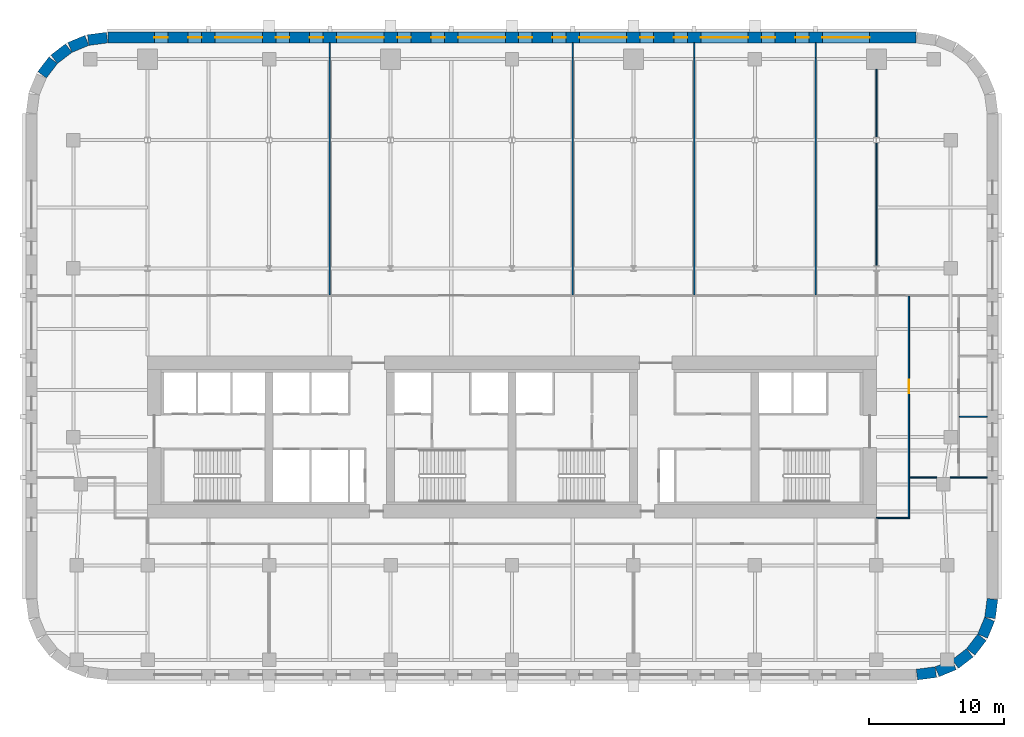
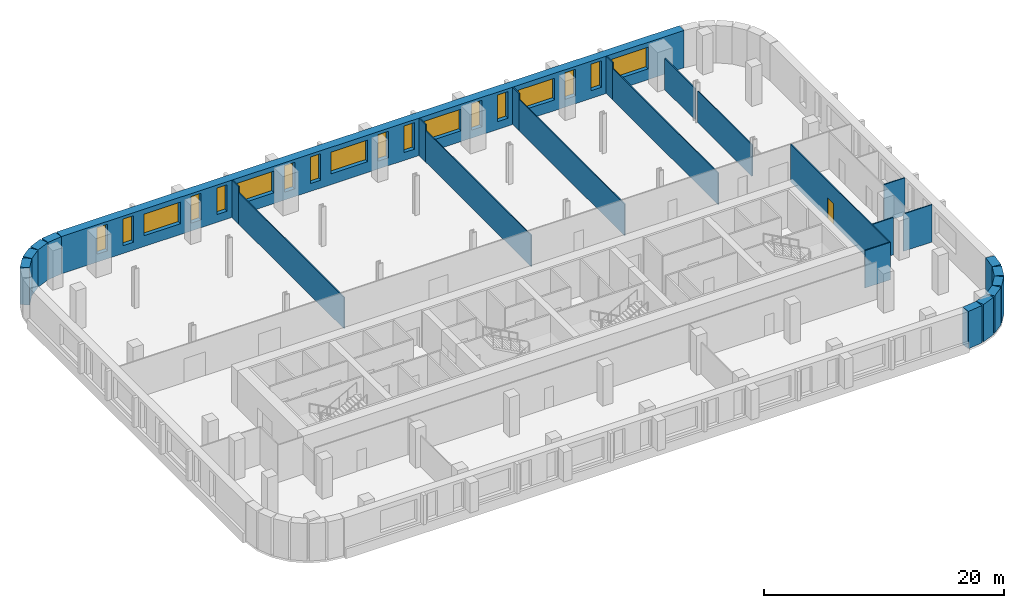
# One storey, part 6 of 9: 26 walls, 18 windows, 1 door, 19 openings.
"""IFC4 building model written with IfcOpenShell, lengths in metres."""

import ifcopenshell
import ifcopenshell.guid

model = None  # the IFC model being written
_history = None  # IfcOwnerHistory: only IFC2X3 demands one
_inside = {}  # id of a spatial element -> (the spatial element, [elements in it])
_under = {}  # id of a project, library or spatial element -> (it, [spatial elements below it])
_declared = {}  # id of a project -> (the project, [libraries it declares])
_typed = {}  # id of a type object -> (the type object, [elements of that type])
_made_of = {}  # id of a material, layer set ... -> (it, [elements and type objects made of it])


def new_model(schema):
    """Start an empty IFC model of exactly this schema.

    Asked for "IFC4X3", IfcOpenShell would pick the latest addendum, in which some entities
    have other attributes; the version numbers below select the first issue.
    IFC2X3 requires an IfcOwnerHistory on every rooted entity: one is made here for all.
    """
    global model, _history
    if schema == "IFC4X3":
        model = ifcopenshell.file(schema_version=(4, 3, 0, 0))
    else:
        model = ifcopenshell.file(schema=schema)
    _inside.clear()
    _under.clear()
    _declared.clear()
    _typed.clear()
    _made_of.clear()
    _history = None
    if model.schema == "IFC2X3":
        org = make("IfcOrganization", Name="unknown")
        user = make(
            "IfcPersonAndOrganization",
            ThePerson=make("IfcPerson", FamilyName="unknown"),
            TheOrganization=org,
        )
        app = make(
            "IfcApplication",
            ApplicationDeveloper=org,
            Version="unknown",
            ApplicationFullName="unknown",
            ApplicationIdentifier="unknown",
        )
        _history = make(
            "IfcOwnerHistory",
            OwningUser=user,
            OwningApplication=app,
            ChangeAction="ADDED",
            CreationDate=0,
        )
    return model


def make(cls, **values):
    """One entity of the class cls with the attributes given. An attribute that is None is left unset."""
    return model.create_entity(
        cls, **{name: value for name, value in values.items() if value is not None}
    )


def rooted(cls, **values):
    """An entity with a GlobalId (a new one), such as an element, a storey or a relation."""
    return make(cls, GlobalId=ifcopenshell.guid.new(), OwnerHistory=_history, **values)


def si_unit(unit_type, name, prefix=None):
    """IfcSIUnit, for example si_unit("LENGTHUNIT", "METRE", prefix="MILLI")."""
    return make("IfcSIUnit", UnitType=unit_type, Prefix=prefix, Name=name)


def assignment(units):
    """IfcUnitAssignment: the units of a project."""
    return None if units is None else make("IfcUnitAssignment", Units=units)


def point(xyz):
    """IfcCartesianPoint."""
    return None if xyz is None else make("IfcCartesianPoint", Coordinates=xyz)


def direction(xyz):
    """IfcDirection."""
    return None if xyz is None else make("IfcDirection", DirectionRatios=xyz)


def frame(location, z_axis=None, x_axis=None):
    """IfcAxis2Placement3D, a coordinate frame: its origin and axes. An axis left out is left unset."""
    return make(
        "IfcAxis2Placement3D",
        Location=point(location),
        Axis=direction(z_axis),
        RefDirection=direction(x_axis),
    )


def frame_2d(location, x_axis=None):
    """IfcAxis2Placement2D, a coordinate frame in the plane: its origin and x axis."""
    return make(
        "IfcAxis2Placement2D", Location=point(location), RefDirection=direction(x_axis)
    )


def origin():
    """The frame at (0, 0, 0) with its axes left unset."""
    return frame((0.0, 0.0, 0.0))


def place(relative_to, where):
    """IfcLocalPlacement: puts the frame where relative to a parent placement (None: the world)."""
    return make(
        "IfcLocalPlacement", PlacementRelTo=relative_to, RelativePlacement=where
    )


def context(
    kind, dimensions, precision=None, world=None, true_north=None, identifier=None
):
    """IfcGeometricRepresentationContext, for example the 3D "Model" context."""
    return make(
        "IfcGeometricRepresentationContext",
        ContextIdentifier=identifier,
        ContextType=kind,
        CoordinateSpaceDimension=dimensions,
        Precision=precision,
        WorldCoordinateSystem=world,
        TrueNorth=true_north,
    )


def subcontext(parent, identifier, kind, view, scale=None):
    """IfcGeometricRepresentationSubContext, for example "Body" below "Model"."""
    return make(
        "IfcGeometricRepresentationSubContext",
        ContextIdentifier=identifier,
        ContextType=kind,
        ParentContext=parent,
        TargetScale=scale,
        TargetView=view,
    )


def project(units=None, contexts=None):
    """IfcProject with its units and contexts."""
    return rooted(
        "IfcProject",
        Name="project",
        RepresentationContexts=contexts,
        UnitsInContext=assignment(units),
    )


def spatial(cls, under=None, at=None, **own):
    """A site, building, storey or space (cls), placed at a placement, below another one or the project."""
    s = rooted(cls, ObjectPlacement=at, **own)
    if under is not None:
        _under.setdefault(under.id(), (under, []))[1].append(s)
    return s


def profile(cls, at=None, kind="AREA", **sizes):
    """A parametric profile (cls). Its sizes go by their IFC names, for example OverallWidth=200.0."""
    return make(cls, ProfileType=kind, Position=at, **sizes)


def rectangle(**sizes):
    """IfcRectangleProfileDef."""
    return profile("IfcRectangleProfileDef", **sizes)


def extrude(swept, where, along, depth):
    """IfcExtrudedAreaSolid: the profile swept, set in the frame where, extruded along a direction by depth."""
    return make(
        "IfcExtrudedAreaSolid",
        SweptArea=swept,
        Position=where,
        ExtrudedDirection=direction(along),
        Depth=depth,
    )


def shape(context_of_items, identifier, shape_type, items):
    """IfcShapeRepresentation: the items that make up one representation, for example the "Body"."""
    return make(
        "IfcShapeRepresentation",
        ContextOfItems=context_of_items,
        RepresentationIdentifier=identifier,
        RepresentationType=shape_type,
        Items=items,
    )


def material(Name=None, Category=None):
    """IfcMaterial."""
    return make("IfcMaterial", Name=Name, Category=Category)


def layer(
    of_material, thickness, ventilated=None, Name=None, Category=None, Priority=None
):
    """IfcMaterialLayer: one layer of a wall or slab, of a material (None: an air gap)."""
    return make(
        "IfcMaterialLayer",
        Material=of_material,
        LayerThickness=thickness,
        IsVentilated=ventilated,
        Name=Name,
        Category=Category,
        Priority=Priority,
    )


def layer_set(layers, Name=None):
    """IfcMaterialLayerSet."""
    return make("IfcMaterialLayerSet", MaterialLayers=layers, LayerSetName=Name)


def made_of(thing, what):
    """Note that an element or type object is made of a material, layer set ...; save() writes the relation."""
    if what is not None:
        _made_of.setdefault(what.id(), (what, []))[1].append(thing)
    return thing


def type_object(cls, material=None, **own):
    """A type object (cls), such as IfcWallType, which elements share."""
    return made_of(rooted(cls, **own), material)


def element(
    cls,
    number,
    at=None,
    inside=None,
    cuts=None,
    type_object=None,
    material=None,
    context=None,
    identifier="Body",
    shape_type=None,
    held_by="IfcProductDefinitionShape",
    body=None,
    shapes=None,
    **own,
):
    """One element of the class cls, such as IfcWall. Its Tag is "e" and its number.

    at: its placement. inside: the storey or other place that contains it. cuts: it is an
    opening in that element (IfcRelVoidsElement). A single representation is given by context,
    identifier, shape_type and body (its items); several are given by shapes. held_by: the class
    of the entity that holds the representations. save() writes the other relations.
    """
    e = rooted(cls, Tag="e%d" % number, ObjectPlacement=at, **own)
    if body is not None:
        shapes = [shape(context, identifier, shape_type, body)]
    if shapes is not None:
        e.Representation = make(held_by, Representations=shapes)
    if inside is not None:
        _inside.setdefault(inside.id(), (inside, []))[1].append(e)
    if cuts is not None:
        rooted(
            "IfcRelVoidsElement", RelatingBuildingElement=cuts, RelatedOpeningElement=e
        )
    if type_object is not None:
        _typed.setdefault(type_object.id(), (type_object, []))[1].append(e)
    return made_of(e, material)


def fill(opening, filler):
    """IfcRelFillsElement: the door or window that sits in an opening."""
    return rooted(
        "IfcRelFillsElement",
        RelatingOpeningElement=opening,
        RelatedBuildingElement=filler,
    )


def aggregate(whole, parts):
    """IfcRelAggregates: a whole, such as a stair, and the parts it consists of."""
    return rooted("IfcRelAggregates", RelatingObject=whole, RelatedObjects=parts)


def save(model, path):
    """Write the relations noted so far, then the file.

    IfcRelAggregates (storeys below a building ...), IfcRelContainedInSpatialStructure (elements
    in a storey), IfcRelDefinesByType, IfcRelAssociatesMaterial and IfcRelDeclares: one each for
    every whole, place, type object, material and project.
    """
    for whole, parts in _under.values():
        aggregate(whole, parts)
    for where, things in _inside.values():
        rooted(
            "IfcRelContainedInSpatialStructure",
            RelatedElements=things,
            RelatingStructure=where,
        )
    for kind, things in _typed.values():
        rooted("IfcRelDefinesByType", RelatedObjects=things, RelatingType=kind)
    for what, things in _made_of.values():
        rooted("IfcRelAssociatesMaterial", RelatedObjects=things, RelatingMaterial=what)
    for by, libraries in _declared.values():
        rooted("IfcRelDeclares", RelatingContext=by, RelatedDefinitions=libraries)
    model.write(path)


model = new_model("IFC4")

# Units and contexts
model_context = context("Model", 3, precision=1e-05, world=origin(), true_north=direction((0.0, 1.0)))
body_context = subcontext(model_context, "Body", "Model", "MODEL_VIEW")
ifc_project = project(units=[si_unit("LENGTHUNIT", "METRE"), si_unit("AREAUNIT", "SQUARE_METRE"), si_unit("VOLUMEUNIT", "CUBIC_METRE"), si_unit("PLANEANGLEUNIT", "RADIAN"), si_unit("MASSUNIT", "GRAM", prefix="KILO")], contexts=[model_context])

# Site, building, storey
site_placement = place(None, origin())
site = spatial("IfcSite", under=ifc_project, at=site_placement, CompositionType="ELEMENT")
building_placement = place(site_placement, origin())
building = spatial("IfcBuilding", under=site, at=building_placement, Name="Zellij Exchange Tower", CompositionType="ELEMENT")
storey_placement = place(building_placement, frame((0.0, 0.0, 148.5)))
storey = spatial("IfcBuildingStorey", under=building, at=storey_placement, Name="L33", CompositionType="ELEMENT", Elevation=148.5)

# Walls
ifc_material_1 = material(Name="Precast concrete C40/50", Category="concrete")
ifc_layer_1 = layer(ifc_material_1, 0.800048828125)
ifc_layer_set_1 = layer_set([ifc_layer_1], Name="Precast concrete C40/50")
wall_type_1 = type_object("IfcWallType", Name="ENV-EW1 Precast stone-piered wall 800", PredefinedType="SOLIDWALL", material=ifc_layer_set_1)
wall_1_placement = place(storey_placement, frame((29.999755859375, -25.5966796875, 0.0), z_axis=(0.0, 0.0, 1.0), x_axis=(0.99144603414, 0.130517283865, 0.0)))
element("IfcWall", 1, at=wall_1_placement, inside=storey, type_object=wall_type_1, Name="fac.L33.01", PredefinedType="SOLIDWALL", context=body_context, shape_type="SweptSolid", body=[
    extrude(rectangle(XDim=1.408447265625, YDim=0.800048828125, at=frame_2d((0.7041015625, 0.0))), origin(), (0.0, 0.0, 1.0), 3.800048828125),
])
wall_2_placement = place(storey_placement, frame((31.497314453125, -25.3857421875, 0.0), z_axis=(0.0, 0.0, 1.0), x_axis=(0.923847774587, 0.38276009378, 0.0)))
element("IfcWall", 2, at=wall_2_placement, inside=storey, type_object=wall_type_1, Name="fac.L33.02", PredefinedType="SOLIDWALL", context=body_context, shape_type="SweptSolid", body=[
    extrude(rectangle(XDim=1.35546875, YDim=0.800048828125, at=frame_2d((0.677734375, 0.0))), origin(), (0.0, 0.0, 1.0), 3.800048828125),
])
for number, where, z_axis, x_axis, name in (
    (3, (32.840087890625, -24.814697265625, 0.0), (0.0, 0.0, 1.0), (0.793272915452, 0.608866226366, 0.0), "fac.L33.03"),
    (4, (33.9892578125, -23.91552734375, 0.0), (0.0, 0.0, 1.0), (0.608866226366, 0.793272915452, 0.0), "fac.L33.04"),
):
    element("IfcWall", number, at=place(storey_placement, frame(where, z_axis=z_axis, x_axis=x_axis)), inside=storey, type_object=wall_type_1, Name=name, PredefinedType="SOLIDWALL", context=body_context, shape_type="SweptSolid", body=[
        extrude(rectangle(XDim=1.355712890625, YDim=0.800048828125, at=frame_2d((0.677734375, 0.0))), origin(), (0.0, 0.0, 1.0), 3.800048828125),
    ])
wall_3_placement = place(storey_placement, frame((34.866943359375, -22.74951171875, 0.0), z_axis=(0.0, 0.0, 1.0), x_axis=(0.38276009378, 0.923847774587, 0.0)))
element("IfcWall", 5, at=wall_3_placement, inside=storey, type_object=wall_type_1, Name="fac.L33.05", PredefinedType="SOLIDWALL", context=body_context, shape_type="SweptSolid", body=[
    extrude(rectangle(XDim=1.35546875, YDim=0.800048828125, at=frame_2d((0.677734375, 0.0))), origin(), (0.0, 0.0, 1.0), 3.800048828125),
])
wall_4_placement = place(storey_placement, frame((35.412841796875, -21.396240234375, 0.0), z_axis=(0.0, 0.0, 1.0), x_axis=(0.130517283865, 0.99144603414, 0.0)))
element("IfcWall", 6, at=wall_4_placement, inside=storey, type_object=wall_type_1, Name="fac.L33.06", PredefinedType="SOLIDWALL", context=body_context, shape_type="SweptSolid", body=[
    extrude(rectangle(XDim=1.408447265625, YDim=0.800048828125, at=frame_2d((0.7041015625, 0.0))), origin(), (0.0, 0.0, 1.0), 3.800048828125),
])

# Wall, openings, windows
wall_5_placement = place(storey_placement, frame((29.947509765625, 21.60009765625, 0.0), z_axis=(0.0, 0.0, 1.0), x_axis=(-1.0, 0.0, 0.0)))
wall_5 = element("IfcWall", 7, at=wall_5_placement, inside=storey, type_object=wall_type_1, Name="fac.L33.14", PredefinedType="SOLIDWALL", context=body_context, shape_type="SweptSolid", body=[
    extrude(rectangle(XDim=59.89501953125, YDim=0.800048828125, at=frame_2d((29.947509765625, 0.0))), origin(), (0.0, 0.0, 1.0), 3.800048828125),
])
opening_1_placement = place(wall_5_placement, frame((3.447509765625, 0.0, 1.10009765625)))
opening_1 = element("IfcOpeningElement", 8, at=opening_1_placement, cuts=wall_5, Name="Opening FZ2.28", PredefinedType="OPENING", context=body_context, shape_type="SweptSolid", body=[
    extrude(rectangle(XDim=3.5, YDim=2.199951171875, at=frame_2d((1.75, 1.10009765625))), frame((0.0, 0.412109375, 0.0), z_axis=(0.0, -1.0, 0.0), x_axis=(1.0, 0.0, 0.0)), (0.0, 0.0, 1.0), 0.823974609375),
])
opening_2_placement = place(wall_5_placement, frame((7.947509765625, 0.0, 0.800048828125)))
opening_2 = element("IfcOpeningElement", 9, at=opening_2_placement, cuts=wall_5, Name="Opening FZ2.29", PredefinedType="OPENING", context=body_context, shape_type="SweptSolid", body=[
    extrude(rectangle(XDim=1.0, YDim=2.699951171875, at=frame_2d((0.5, 1.35009765625))), frame((0.0, 0.412109375, 0.0), z_axis=(0.0, -1.0, 0.0), x_axis=(1.0, 0.0, 0.0)), (0.0, 0.0, 1.0), 0.823974609375),
])
opening_3_placement = place(wall_5_placement, frame((10.447509765625, 0.0, 0.800048828125)))
opening_3 = element("IfcOpeningElement", 10, at=opening_3_placement, cuts=wall_5, Name="Opening FZ2.30", PredefinedType="OPENING", context=body_context, shape_type="SweptSolid", body=[
    extrude(rectangle(XDim=1.0, YDim=2.699951171875, at=frame_2d((0.5, 1.35009765625))), frame((0.0, 0.412109375, 0.0), z_axis=(0.0, -1.0, 0.0), x_axis=(1.0, 0.0, 0.0)), (0.0, 0.0, 1.0), 0.823974609375),
])
opening_4_placement = place(wall_5_placement, frame((12.447509765625, 0.0, 1.10009765625)))
opening_4 = element("IfcOpeningElement", 11, at=opening_4_placement, cuts=wall_5, Name="Opening FZ2.31", PredefinedType="OPENING", context=body_context, shape_type="SweptSolid", body=[
    extrude(rectangle(XDim=3.5, YDim=2.199951171875, at=frame_2d((1.75, 1.10009765625))), frame((0.0, 0.412109375, 0.0), z_axis=(0.0, -1.0, 0.0), x_axis=(1.0, 0.0, 0.0)), (0.0, 0.0, 1.0), 0.823974609375),
])
opening_5_placement = place(wall_5_placement, frame((16.947509765625, 0.0, 0.800048828125)))
opening_5 = element("IfcOpeningElement", 12, at=opening_5_placement, cuts=wall_5, Name="Opening FZ2.32", PredefinedType="OPENING", context=body_context, shape_type="SweptSolid", body=[
    extrude(rectangle(XDim=1.0, YDim=2.699951171875, at=frame_2d((0.5, 1.35009765625))), frame((0.0, 0.412109375, 0.0), z_axis=(0.0, -1.0, 0.0), x_axis=(1.0, 0.0, 0.0)), (0.0, 0.0, 1.0), 0.823974609375),
])
opening_6_placement = place(wall_5_placement, frame((19.447509765625, 0.0, 0.800048828125)))
opening_6 = element("IfcOpeningElement", 13, at=opening_6_placement, cuts=wall_5, Name="Opening FZ2.33", PredefinedType="OPENING", context=body_context, shape_type="SweptSolid", body=[
    extrude(rectangle(XDim=1.0, YDim=2.699951171875, at=frame_2d((0.5, 1.35009765625))), frame((0.0, 0.412109375, 0.0), z_axis=(0.0, -1.0, 0.0), x_axis=(1.0, 0.0, 0.0)), (0.0, 0.0, 1.0), 0.823974609375),
])
opening_7_placement = place(wall_5_placement, frame((21.447509765625, 0.0, 1.10009765625)))
opening_7 = element("IfcOpeningElement", 14, at=opening_7_placement, cuts=wall_5, Name="Opening FZ2.34", PredefinedType="OPENING", context=body_context, shape_type="SweptSolid", body=[
    extrude(rectangle(XDim=3.5, YDim=2.199951171875, at=frame_2d((1.75, 1.10009765625))), frame((0.0, 0.412109375, 0.0), z_axis=(0.0, -1.0, 0.0), x_axis=(1.0, 0.0, 0.0)), (0.0, 0.0, 1.0), 0.823974609375),
])
opening_8_placement = place(wall_5_placement, frame((25.947509765625, 0.0, 0.800048828125)))
opening_8 = element("IfcOpeningElement", 15, at=opening_8_placement, cuts=wall_5, Name="Opening FZ2.35", PredefinedType="OPENING", context=body_context, shape_type="SweptSolid", body=[
    extrude(rectangle(XDim=1.0, YDim=2.699951171875, at=frame_2d((0.5, 1.35009765625))), frame((0.0, 0.412109375, 0.0), z_axis=(0.0, -1.0, 0.0), x_axis=(1.0, 0.0, 0.0)), (0.0, 0.0, 1.0), 0.823974609375),
])
opening_9_placement = place(wall_5_placement, frame((28.447509765625, 0.0, 0.800048828125)))
opening_9 = element("IfcOpeningElement", 16, at=opening_9_placement, cuts=wall_5, Name="Opening FZ2.36", PredefinedType="OPENING", context=body_context, shape_type="SweptSolid", body=[
    extrude(rectangle(XDim=1.0, YDim=2.699951171875, at=frame_2d((0.5, 1.35009765625))), frame((0.0, 0.412109375, 0.0), z_axis=(0.0, -1.0, 0.0), x_axis=(1.0, 0.0, 0.0)), (0.0, 0.0, 1.0), 0.823974609375),
])
opening_10_placement = place(wall_5_placement, frame((30.447509765625, 0.0, 1.10009765625)))
opening_10 = element("IfcOpeningElement", 17, at=opening_10_placement, cuts=wall_5, Name="Opening FZ2.37", PredefinedType="OPENING", context=body_context, shape_type="SweptSolid", body=[
    extrude(rectangle(XDim=3.5, YDim=2.199951171875, at=frame_2d((1.75, 1.10009765625))), frame((0.0, 0.412109375, 0.0), z_axis=(0.0, -1.0, 0.0), x_axis=(1.0, 0.0, 0.0)), (0.0, 0.0, 1.0), 0.823974609375),
])
opening_11_placement = place(wall_5_placement, frame((34.947509765625, 0.0, 0.800048828125)))
opening_11 = element("IfcOpeningElement", 18, at=opening_11_placement, cuts=wall_5, Name="Opening FZ2.38", PredefinedType="OPENING", context=body_context, shape_type="SweptSolid", body=[
    extrude(rectangle(XDim=1.0, YDim=2.699951171875, at=frame_2d((0.5, 1.35009765625))), frame((0.0, 0.412109375, 0.0), z_axis=(0.0, -1.0, 0.0), x_axis=(1.0, 0.0, 0.0)), (0.0, 0.0, 1.0), 0.823974609375),
])
opening_12_placement = place(wall_5_placement, frame((37.447509765625, 0.0, 0.800048828125)))
opening_12 = element("IfcOpeningElement", 19, at=opening_12_placement, cuts=wall_5, Name="Opening FZ2.39", PredefinedType="OPENING", context=body_context, shape_type="SweptSolid", body=[
    extrude(rectangle(XDim=1.0, YDim=2.699951171875, at=frame_2d((0.5, 1.35009765625))), frame((0.0, 0.412109375, 0.0), z_axis=(0.0, -1.0, 0.0), x_axis=(1.0, 0.0, 0.0)), (0.0, 0.0, 1.0), 0.823974609375),
])
opening_13_placement = place(wall_5_placement, frame((39.447509765625, 0.0, 1.10009765625)))
opening_13 = element("IfcOpeningElement", 20, at=opening_13_placement, cuts=wall_5, Name="Opening FZ2.40", PredefinedType="OPENING", context=body_context, shape_type="SweptSolid", body=[
    extrude(rectangle(XDim=3.5, YDim=2.199951171875, at=frame_2d((1.75, 1.10009765625))), frame((0.0, 0.412109375, 0.0), z_axis=(0.0, -1.0, 0.0), x_axis=(1.0, 0.0, 0.0)), (0.0, 0.0, 1.0), 0.823974609375),
])
opening_14_placement = place(wall_5_placement, frame((43.947509765625, 0.0, 0.800048828125)))
opening_14 = element("IfcOpeningElement", 21, at=opening_14_placement, cuts=wall_5, Name="Opening FZ2.41", PredefinedType="OPENING", context=body_context, shape_type="SweptSolid", body=[
    extrude(rectangle(XDim=1.0, YDim=2.699951171875, at=frame_2d((0.5, 1.35009765625))), frame((0.0, 0.412109375, 0.0), z_axis=(0.0, -1.0, 0.0), x_axis=(1.0, 0.0, 0.0)), (0.0, 0.0, 1.0), 0.823974609375),
])
opening_15_placement = place(wall_5_placement, frame((46.447509765625, 0.0, 0.800048828125)))
opening_15 = element("IfcOpeningElement", 22, at=opening_15_placement, cuts=wall_5, Name="Opening FZ2.42", PredefinedType="OPENING", context=body_context, shape_type="SweptSolid", body=[
    extrude(rectangle(XDim=1.0, YDim=2.699951171875, at=frame_2d((0.5, 1.35009765625))), frame((0.0, 0.412109375, 0.0), z_axis=(0.0, -1.0, 0.0), x_axis=(1.0, 0.0, 0.0)), (0.0, 0.0, 1.0), 0.823974609375),
])
opening_16_placement = place(wall_5_placement, frame((48.447509765625, 0.0, 1.10009765625)))
opening_16 = element("IfcOpeningElement", 23, at=opening_16_placement, cuts=wall_5, Name="Opening FZ2.43", PredefinedType="OPENING", context=body_context, shape_type="SweptSolid", body=[
    extrude(rectangle(XDim=3.5, YDim=2.199951171875, at=frame_2d((1.75, 1.10009765625))), frame((0.0, 0.412109375, 0.0), z_axis=(0.0, -1.0, 0.0), x_axis=(1.0, 0.0, 0.0)), (0.0, 0.0, 1.0), 0.823974609375),
])
opening_17_placement = place(wall_5_placement, frame((52.947509765625, 0.0, 0.800048828125)))
opening_17 = element("IfcOpeningElement", 24, at=opening_17_placement, cuts=wall_5, Name="Opening FZ2.44", PredefinedType="OPENING", context=body_context, shape_type="SweptSolid", body=[
    extrude(rectangle(XDim=1.0, YDim=2.699951171875, at=frame_2d((0.5, 1.35009765625))), frame((0.0, 0.412109375, 0.0), z_axis=(0.0, -1.0, 0.0), x_axis=(1.0, 0.0, 0.0)), (0.0, 0.0, 1.0), 0.823974609375),
])
opening_18_placement = place(wall_5_placement, frame((55.447509765625, 0.0, 0.800048828125)))
opening_18 = element("IfcOpeningElement", 25, at=opening_18_placement, cuts=wall_5, Name="Opening FZ2.45", PredefinedType="OPENING", context=body_context, shape_type="SweptSolid", body=[
    extrude(rectangle(XDim=1.0, YDim=2.699951171875, at=frame_2d((0.5, 1.35009765625))), frame((0.0, 0.412109375, 0.0), z_axis=(0.0, -1.0, 0.0), x_axis=(1.0, 0.0, 0.0)), (0.0, 0.0, 1.0), 0.823974609375),
])
ifc_material_2 = material(Name="Aluminium frame with insulating glass", Category="aluminium")
window_type_1 = type_object("IfcWindowType", Name="ENV-W7 Window 3500x2200", PartitioningType="SINGLE_PANEL", PredefinedType="WINDOW", material=ifc_material_2)
window_1_placement = place(opening_1_placement, origin())
window_1 = element("IfcWindow", 26, at=window_1_placement, inside=storey, type_object=window_type_1, Name="Window FZ2.28", OverallHeight=2.199951171875, OverallWidth=3.5, PartitioningType="SINGLE_PANEL", PredefinedType="WINDOW", context=body_context, shape_type="SweptSolid", body=[
    extrude(rectangle(XDim=3.5, YDim=2.199951171875, at=frame_2d((1.75, 1.10009765625))), frame((0.0, 0.030029296875, 0.0), z_axis=(0.0, -1.0, 0.0), x_axis=(1.0, 0.0, 0.0)), (0.0, 0.0, 1.0), 0.06005859375),
])
fill(opening_1, window_1)
window_2_placement = place(opening_4_placement, origin())
window_2 = element("IfcWindow", 27, at=window_2_placement, inside=storey, type_object=window_type_1, Name="Window FZ2.31", OverallHeight=2.199951171875, OverallWidth=3.5, PartitioningType="SINGLE_PANEL", PredefinedType="WINDOW", context=body_context, shape_type="SweptSolid", body=[
    extrude(rectangle(XDim=3.5, YDim=2.199951171875, at=frame_2d((1.75, 1.10009765625))), frame((0.0, 0.030029296875, 0.0), z_axis=(0.0, -1.0, 0.0), x_axis=(1.0, 0.0, 0.0)), (0.0, 0.0, 1.0), 0.06005859375),
])
fill(opening_4, window_2)
window_3_placement = place(opening_7_placement, origin())
window_3 = element("IfcWindow", 28, at=window_3_placement, inside=storey, type_object=window_type_1, Name="Window FZ2.34", OverallHeight=2.199951171875, OverallWidth=3.5, PartitioningType="SINGLE_PANEL", PredefinedType="WINDOW", context=body_context, shape_type="SweptSolid", body=[
    extrude(rectangle(XDim=3.5, YDim=2.199951171875, at=frame_2d((1.75, 1.10009765625))), frame((0.0, 0.030029296875, 0.0), z_axis=(0.0, -1.0, 0.0), x_axis=(1.0, 0.0, 0.0)), (0.0, 0.0, 1.0), 0.06005859375),
])
fill(opening_7, window_3)
window_4_placement = place(opening_10_placement, origin())
window_4 = element("IfcWindow", 29, at=window_4_placement, inside=storey, type_object=window_type_1, Name="Window FZ2.37", OverallHeight=2.199951171875, OverallWidth=3.5, PartitioningType="SINGLE_PANEL", PredefinedType="WINDOW", context=body_context, shape_type="SweptSolid", body=[
    extrude(rectangle(XDim=3.5, YDim=2.199951171875, at=frame_2d((1.75, 1.10009765625))), frame((0.0, 0.030029296875, 0.0), z_axis=(0.0, -1.0, 0.0), x_axis=(1.0, 0.0, 0.0)), (0.0, 0.0, 1.0), 0.06005859375),
])
fill(opening_10, window_4)
window_5_placement = place(opening_13_placement, origin())
window_5 = element("IfcWindow", 30, at=window_5_placement, inside=storey, type_object=window_type_1, Name="Window FZ2.40", OverallHeight=2.199951171875, OverallWidth=3.5, PartitioningType="SINGLE_PANEL", PredefinedType="WINDOW", context=body_context, shape_type="SweptSolid", body=[
    extrude(rectangle(XDim=3.5, YDim=2.199951171875, at=frame_2d((1.75, 1.10009765625))), frame((0.0, 0.030029296875, 0.0), z_axis=(0.0, -1.0, 0.0), x_axis=(1.0, 0.0, 0.0)), (0.0, 0.0, 1.0), 0.06005859375),
])
fill(opening_13, window_5)
window_6_placement = place(opening_16_placement, origin())
window_6 = element("IfcWindow", 31, at=window_6_placement, inside=storey, type_object=window_type_1, Name="Window FZ2.43", OverallHeight=2.199951171875, OverallWidth=3.5, PartitioningType="SINGLE_PANEL", PredefinedType="WINDOW", context=body_context, shape_type="SweptSolid", body=[
    extrude(rectangle(XDim=3.5, YDim=2.199951171875, at=frame_2d((1.75, 1.10009765625))), frame((0.0, 0.030029296875, 0.0), z_axis=(0.0, -1.0, 0.0), x_axis=(1.0, 0.0, 0.0)), (0.0, 0.0, 1.0), 0.06005859375),
])
fill(opening_16, window_6)
window_type_2 = type_object("IfcWindowType", Name="ENV-W8 Window 1000x2700", PartitioningType="SINGLE_PANEL", PredefinedType="WINDOW", material=ifc_material_2)
window_7_placement = place(opening_2_placement, origin())
window_7 = element("IfcWindow", 32, at=window_7_placement, inside=storey, type_object=window_type_2, Name="Window FZ2.29", OverallHeight=2.699951171875, OverallWidth=1.0, PartitioningType="SINGLE_PANEL", PredefinedType="WINDOW", context=body_context, shape_type="SweptSolid", body=[
    extrude(rectangle(XDim=1.0, YDim=2.699951171875, at=frame_2d((0.5, 1.35009765625))), frame((0.0, 0.030029296875, 0.0), z_axis=(0.0, -1.0, 0.0), x_axis=(1.0, 0.0, 0.0)), (0.0, 0.0, 1.0), 0.06005859375),
])
fill(opening_2, window_7)
window_8_placement = place(opening_3_placement, origin())
window_8 = element("IfcWindow", 33, at=window_8_placement, inside=storey, type_object=window_type_2, Name="Window FZ2.30", OverallHeight=2.699951171875, OverallWidth=1.0, PartitioningType="SINGLE_PANEL", PredefinedType="WINDOW", context=body_context, shape_type="SweptSolid", body=[
    extrude(rectangle(XDim=1.0, YDim=2.699951171875, at=frame_2d((0.5, 1.35009765625))), frame((0.0, 0.030029296875, 0.0), z_axis=(0.0, -1.0, 0.0), x_axis=(1.0, 0.0, 0.0)), (0.0, 0.0, 1.0), 0.06005859375),
])
fill(opening_3, window_8)
window_9_placement = place(opening_5_placement, origin())
window_9 = element("IfcWindow", 34, at=window_9_placement, inside=storey, type_object=window_type_2, Name="Window FZ2.32", OverallHeight=2.699951171875, OverallWidth=1.0, PartitioningType="SINGLE_PANEL", PredefinedType="WINDOW", context=body_context, shape_type="SweptSolid", body=[
    extrude(rectangle(XDim=1.0, YDim=2.699951171875, at=frame_2d((0.5, 1.35009765625))), frame((0.0, 0.030029296875, 0.0), z_axis=(0.0, -1.0, 0.0), x_axis=(1.0, 0.0, 0.0)), (0.0, 0.0, 1.0), 0.06005859375),
])
fill(opening_5, window_9)
window_10_placement = place(opening_6_placement, origin())
window_10 = element("IfcWindow", 35, at=window_10_placement, inside=storey, type_object=window_type_2, Name="Window FZ2.33", OverallHeight=2.699951171875, OverallWidth=1.0, PartitioningType="SINGLE_PANEL", PredefinedType="WINDOW", context=body_context, shape_type="SweptSolid", body=[
    extrude(rectangle(XDim=1.0, YDim=2.699951171875, at=frame_2d((0.5, 1.35009765625))), frame((0.0, 0.030029296875, 0.0), z_axis=(0.0, -1.0, 0.0), x_axis=(1.0, 0.0, 0.0)), (0.0, 0.0, 1.0), 0.06005859375),
])
fill(opening_6, window_10)
window_11_placement = place(opening_8_placement, origin())
window_11 = element("IfcWindow", 36, at=window_11_placement, inside=storey, type_object=window_type_2, Name="Window FZ2.35", OverallHeight=2.699951171875, OverallWidth=1.0, PartitioningType="SINGLE_PANEL", PredefinedType="WINDOW", context=body_context, shape_type="SweptSolid", body=[
    extrude(rectangle(XDim=1.0, YDim=2.699951171875, at=frame_2d((0.5, 1.35009765625))), frame((0.0, 0.030029296875, 0.0), z_axis=(0.0, -1.0, 0.0), x_axis=(1.0, 0.0, 0.0)), (0.0, 0.0, 1.0), 0.06005859375),
])
fill(opening_8, window_11)
window_12_placement = place(opening_9_placement, origin())
window_12 = element("IfcWindow", 37, at=window_12_placement, inside=storey, type_object=window_type_2, Name="Window FZ2.36", OverallHeight=2.699951171875, OverallWidth=1.0, PartitioningType="SINGLE_PANEL", PredefinedType="WINDOW", context=body_context, shape_type="SweptSolid", body=[
    extrude(rectangle(XDim=1.0, YDim=2.699951171875, at=frame_2d((0.5, 1.35009765625))), frame((0.0, 0.030029296875, 0.0), z_axis=(0.0, -1.0, 0.0), x_axis=(1.0, 0.0, 0.0)), (0.0, 0.0, 1.0), 0.06005859375),
])
fill(opening_9, window_12)
window_13_placement = place(opening_11_placement, origin())
window_13 = element("IfcWindow", 38, at=window_13_placement, inside=storey, type_object=window_type_2, Name="Window FZ2.38", OverallHeight=2.699951171875, OverallWidth=1.0, PartitioningType="SINGLE_PANEL", PredefinedType="WINDOW", context=body_context, shape_type="SweptSolid", body=[
    extrude(rectangle(XDim=1.0, YDim=2.699951171875, at=frame_2d((0.5, 1.35009765625))), frame((0.0, 0.030029296875, 0.0), z_axis=(0.0, -1.0, 0.0), x_axis=(1.0, 0.0, 0.0)), (0.0, 0.0, 1.0), 0.06005859375),
])
fill(opening_11, window_13)
window_14_placement = place(opening_12_placement, origin())
window_14 = element("IfcWindow", 39, at=window_14_placement, inside=storey, type_object=window_type_2, Name="Window FZ2.39", OverallHeight=2.699951171875, OverallWidth=1.0, PartitioningType="SINGLE_PANEL", PredefinedType="WINDOW", context=body_context, shape_type="SweptSolid", body=[
    extrude(rectangle(XDim=1.0, YDim=2.699951171875, at=frame_2d((0.5, 1.35009765625))), frame((0.0, 0.030029296875, 0.0), z_axis=(0.0, -1.0, 0.0), x_axis=(1.0, 0.0, 0.0)), (0.0, 0.0, 1.0), 0.06005859375),
])
fill(opening_12, window_14)
window_15_placement = place(opening_14_placement, origin())
window_15 = element("IfcWindow", 40, at=window_15_placement, inside=storey, type_object=window_type_2, Name="Window FZ2.41", OverallHeight=2.699951171875, OverallWidth=1.0, PartitioningType="SINGLE_PANEL", PredefinedType="WINDOW", context=body_context, shape_type="SweptSolid", body=[
    extrude(rectangle(XDim=1.0, YDim=2.699951171875, at=frame_2d((0.5, 1.35009765625))), frame((0.0, 0.030029296875, 0.0), z_axis=(0.0, -1.0, 0.0), x_axis=(1.0, 0.0, 0.0)), (0.0, 0.0, 1.0), 0.06005859375),
])
fill(opening_14, window_15)
window_16_placement = place(opening_15_placement, origin())
window_16 = element("IfcWindow", 41, at=window_16_placement, inside=storey, type_object=window_type_2, Name="Window FZ2.42", OverallHeight=2.699951171875, OverallWidth=1.0, PartitioningType="SINGLE_PANEL", PredefinedType="WINDOW", context=body_context, shape_type="SweptSolid", body=[
    extrude(rectangle(XDim=1.0, YDim=2.699951171875, at=frame_2d((0.5, 1.35009765625))), frame((0.0, 0.030029296875, 0.0), z_axis=(0.0, -1.0, 0.0), x_axis=(1.0, 0.0, 0.0)), (0.0, 0.0, 1.0), 0.06005859375),
])
fill(opening_15, window_16)
window_17_placement = place(opening_17_placement, origin())
window_17 = element("IfcWindow", 42, at=window_17_placement, inside=storey, type_object=window_type_2, Name="Window FZ2.44", OverallHeight=2.699951171875, OverallWidth=1.0, PartitioningType="SINGLE_PANEL", PredefinedType="WINDOW", context=body_context, shape_type="SweptSolid", body=[
    extrude(rectangle(XDim=1.0, YDim=2.699951171875, at=frame_2d((0.5, 1.35009765625))), frame((0.0, 0.030029296875, 0.0), z_axis=(0.0, -1.0, 0.0), x_axis=(1.0, 0.0, 0.0)), (0.0, 0.0, 1.0), 0.06005859375),
])
fill(opening_17, window_17)
window_18_placement = place(opening_18_placement, origin())
window_18 = element("IfcWindow", 43, at=window_18_placement, inside=storey, type_object=window_type_2, Name="Window FZ2.45", OverallHeight=2.699951171875, OverallWidth=1.0, PartitioningType="SINGLE_PANEL", PredefinedType="WINDOW", context=body_context, shape_type="SweptSolid", body=[
    extrude(rectangle(XDim=1.0, YDim=2.699951171875, at=frame_2d((0.5, 1.35009765625))), frame((0.0, 0.030029296875, 0.0), z_axis=(0.0, -1.0, 0.0), x_axis=(1.0, 0.0, 0.0)), (0.0, 0.0, 1.0), 0.06005859375),
])
fill(opening_18, window_18)

# Walls
wall_6_placement = place(storey_placement, frame((-29.999755859375, 21.5966796875, 0.0), z_axis=(0.0, 0.0, 1.0), x_axis=(-0.99144603414, -0.130517283865, 0.0)))
element("IfcWall", 44, at=wall_6_placement, inside=storey, type_object=wall_type_1, Name="fac.L33.15", PredefinedType="SOLIDWALL", context=body_context, shape_type="SweptSolid", body=[
    extrude(rectangle(XDim=1.408447265625, YDim=0.800048828125, at=frame_2d((0.7041015625, 0.0))), origin(), (0.0, 0.0, 1.0), 3.800048828125),
])
wall_7_placement = place(storey_placement, frame((-31.497314453125, 21.3857421875, 0.0), z_axis=(0.0, 0.0, 1.0), x_axis=(-0.923847774587, -0.38276009378, 0.0)))
element("IfcWall", 45, at=wall_7_placement, inside=storey, type_object=wall_type_1, Name="fac.L33.16", PredefinedType="SOLIDWALL", context=body_context, shape_type="SweptSolid", body=[
    extrude(rectangle(XDim=1.35546875, YDim=0.800048828125, at=frame_2d((0.677734375, 0.0))), origin(), (0.0, 0.0, 1.0), 3.800048828125),
])
for number, where, z_axis, x_axis, name in (
    (46, (-32.840087890625, 20.814697265625, 0.0), (0.0, 0.0, 1.0), (-0.793272915452, -0.608866226366, 0.0), "fac.L33.17"),
    (47, (-33.9892578125, 19.91552734375, 0.0), (0.0, 0.0, 1.0), (-0.608866226366, -0.793272915452, 0.0), "fac.L33.18"),
):
    element("IfcWall", number, at=place(storey_placement, frame(where, z_axis=z_axis, x_axis=x_axis)), inside=storey, type_object=wall_type_1, Name=name, PredefinedType="SOLIDWALL", context=body_context, shape_type="SweptSolid", body=[
        extrude(rectangle(XDim=1.355712890625, YDim=0.800048828125, at=frame_2d((0.677734375, 0.0))), origin(), (0.0, 0.0, 1.0), 3.800048828125),
    ])
ifc_material_3 = material(Name="Gypsum board partition on steel studs", Category="steel")
ifc_layer_2 = layer(ifc_material_3, 0.10009765625)
ifc_layer_set_2 = layer_set([ifc_layer_2], Name="Gypsum board partition on steel studs")
wall_type_2 = type_object("IfcWallType", Name="FIT-PARTITION-100", PredefinedType="PARTITIONING", material=ifc_layer_set_2)
wall_8_placement = place(storey_placement, frame((27.0, -14.0, 0.0), z_axis=(0.0, 0.0, 1.0), x_axis=(1.0, 0.0, 0.0)))
element("IfcWall", 48, at=wall_8_placement, inside=storey, type_object=wall_type_2, Name="FIT-PARTITION-100 010", PredefinedType="PARTITIONING", context=body_context, shape_type="SweptSolid", body=[
    extrude(rectangle(XDim=2.449951171875, YDim=0.10009765625, at=frame_2d((1.22509765625, 0.0))), origin(), (0.0, 0.0, 1.0), 3.800048828125),
])

# Wall, opening, door
wall_9_placement = place(storey_placement, frame((29.39990234375, -13.949951171875, 0.0), z_axis=(0.0, 0.0, 1.0), x_axis=(0.0, 1.0, 0.0)))
wall_9 = element("IfcWall", 49, at=wall_9_placement, inside=storey, type_object=wall_type_2, Name="FIT-PARTITION-100 011", PredefinedType="PARTITIONING", context=body_context, shape_type="SweptSolid", body=[
    extrude(rectangle(XDim=16.389892578125, YDim=0.10009765625, at=frame_2d((8.19482421875, 0.0))), origin(), (0.0, 0.0, 1.0), 3.800048828125),
])
opening_19_placement = place(wall_9_placement, frame((9.2099609375, 0.0, 0.0)))
opening_19 = element("IfcOpeningElement", 50, at=opening_19_placement, cuts=wall_9, Name="Opening TH.05", PredefinedType="OPENING", context=body_context, shape_type="SweptSolid", body=[
    extrude(rectangle(XDim=1.0, YDim=2.10009765625, at=frame_2d((0.5, 1.050048828125))), frame((0.0, 0.06201171875, 0.0), z_axis=(0.0, -1.0, 0.0), x_axis=(1.0, 0.0, 0.0)), (0.0, 0.0, 1.0), 0.1240234375),
])
ifc_material_4 = material(Name="Timber door set", Category="wood")
door_type = type_object("IfcDoorType", Name="FIT-D2-WIDE-1000X2100", OperationType="SINGLE_SWING_LEFT", PredefinedType="DOOR", material=ifc_material_4)
door_placement = place(opening_19_placement, origin())
door = element("IfcDoor", 51, at=door_placement, inside=storey, type_object=door_type, Name="Door TH.05", OperationType="SINGLE_SWING_LEFT", OverallHeight=2.10009765625, OverallWidth=1.0, PredefinedType="DOOR", context=body_context, shape_type="SweptSolid", body=[
    extrude(rectangle(XDim=1.0, YDim=2.10009765625, at=frame_2d((0.5, 1.050048828125))), frame((0.0, 0.02490234375, 0.0), z_axis=(0.0, -1.0, 0.0), x_axis=(1.0, 0.0, 0.0)), (0.0, 0.0, 1.0), 0.050048828125),
])
fill(opening_19, door)

# Walls
wall_10_placement = place(storey_placement, frame((29.449951171875, -10.989990234375, 0.0), z_axis=(0.0, 0.0, 1.0), x_axis=(1.0, 0.0, 0.0)))
element("IfcWall", 52, at=wall_10_placement, inside=storey, type_object=wall_type_2, Name="FIT-PARTITION-100 014", PredefinedType="PARTITIONING", context=body_context, shape_type="SweptSolid", body=[
    extrude(rectangle(XDim=2.0, YDim=0.10009765625, at=frame_2d((1.0, 0.0))), origin(), (0.0, 0.0, 1.0), 3.800048828125),
])
wall_11_placement = place(storey_placement, frame((32.449951171875, -10.989990234375, 0.0), z_axis=(0.0, 0.0, 1.0), x_axis=(1.0, 0.0, 0.0)))
element("IfcWall", 53, at=wall_11_placement, inside=storey, type_object=wall_type_2, Name="FIT-PARTITION-100 015", PredefinedType="PARTITIONING", context=body_context, shape_type="SweptSolid", body=[
    extrude(rectangle(XDim=2.75, YDim=0.10009765625, at=frame_2d((1.375, 0.0))), origin(), (0.0, 0.0, 1.0), 3.800048828125),
])
wall_12_placement = place(storey_placement, frame((33.14990234375, -6.489990234375, 0.0), z_axis=(0.0, 0.0, 1.0), x_axis=(1.0, 0.0, 0.0)))
element("IfcWall", 54, at=wall_12_placement, inside=storey, type_object=wall_type_2, Name="FIT-PARTITION-100 017", PredefinedType="PARTITIONING", context=body_context, shape_type="SweptSolid", body=[
    extrude(rectangle(XDim=2.050048828125, YDim=0.10009765625, at=frame_2d((1.02490234375, 0.0))), origin(), (0.0, 0.0, 1.0), 3.800048828125),
])
wall_13_placement = place(storey_placement, frame((-13.5, 2.5400390625, 0.0), z_axis=(0.0, 0.0, 1.0), x_axis=(0.0, 1.0, 0.0)))
element("IfcWall", 55, at=wall_13_placement, inside=storey, type_object=wall_type_2, Name="FIT-PARTITION-100 020", PredefinedType="PARTITIONING", context=body_context, shape_type="SweptSolid", body=[
    extrude(rectangle(XDim=17.574462890625, YDim=0.10009765625, at=frame_2d((8.787109375, 0.0))), origin(), (0.0, 0.0, 1.0), 3.197998046875),
])
wall_14_placement = place(storey_placement, frame((-13.5, 20.114501953125, 0.0), z_axis=(0.0, 0.0, 1.0), x_axis=(0.0, 1.0, 0.0)))
element("IfcWall", 56, at=wall_14_placement, inside=storey, type_object=wall_type_2, Name="FIT-PARTITION-100 021", PredefinedType="PARTITIONING", context=body_context, shape_type="SweptSolid", body=[
    extrude(rectangle(XDim=1.08544921875, YDim=0.10009765625, at=frame_2d((0.542724609375, 0.0))), origin(), (0.0, 0.0, 1.0), 3.800048828125),
])
wall_15_placement = place(storey_placement, frame((4.5, 2.5400390625, 0.0), z_axis=(0.0, 0.0, 1.0), x_axis=(0.0, 1.0, 0.0)))
element("IfcWall", 57, at=wall_15_placement, inside=storey, type_object=wall_type_2, Name="FIT-PARTITION-100 022", PredefinedType="PARTITIONING", context=body_context, shape_type="SweptSolid", body=[
    extrude(rectangle(XDim=17.574462890625, YDim=0.10009765625, at=frame_2d((8.787109375, 0.0))), origin(), (0.0, 0.0, 1.0), 3.197998046875),
])
wall_16_placement = place(storey_placement, frame((4.5, 20.114501953125, 0.0), z_axis=(0.0, 0.0, 1.0), x_axis=(0.0, 1.0, 0.0)))
element("IfcWall", 58, at=wall_16_placement, inside=storey, type_object=wall_type_2, Name="FIT-PARTITION-100 023", PredefinedType="PARTITIONING", context=body_context, shape_type="SweptSolid", body=[
    extrude(rectangle(XDim=1.08544921875, YDim=0.10009765625, at=frame_2d((0.542724609375, 0.0))), origin(), (0.0, 0.0, 1.0), 3.800048828125),
])
wall_17_placement = place(storey_placement, frame((13.5, 2.5400390625, 0.0), z_axis=(0.0, 0.0, 1.0), x_axis=(0.0, 1.0, 0.0)))
element("IfcWall", 59, at=wall_17_placement, inside=storey, type_object=wall_type_2, Name="FIT-PARTITION-100 024", PredefinedType="PARTITIONING", context=body_context, shape_type="SweptSolid", body=[
    extrude(rectangle(XDim=17.574462890625, YDim=0.10009765625, at=frame_2d((8.787109375, 0.0))), origin(), (0.0, 0.0, 1.0), 3.197998046875),
])
wall_18_placement = place(storey_placement, frame((13.5, 20.114501953125, 0.0), z_axis=(0.0, 0.0, 1.0), x_axis=(0.0, 1.0, 0.0)))
element("IfcWall", 60, at=wall_18_placement, inside=storey, type_object=wall_type_2, Name="FIT-PARTITION-100 025", PredefinedType="PARTITIONING", context=body_context, shape_type="SweptSolid", body=[
    extrude(rectangle(XDim=1.08544921875, YDim=0.10009765625, at=frame_2d((0.542724609375, 0.0))), origin(), (0.0, 0.0, 1.0), 3.800048828125),
])
wall_19_placement = place(storey_placement, frame((22.5, 2.5400390625, 0.0), z_axis=(0.0, 0.0, 1.0), x_axis=(0.0, 1.0, 0.0)))
element("IfcWall", 61, at=wall_19_placement, inside=storey, type_object=wall_type_2, Name="FIT-PARTITION-100 026", PredefinedType="PARTITIONING", context=body_context, shape_type="SweptSolid", body=[
    extrude(rectangle(XDim=17.574462890625, YDim=0.10009765625, at=frame_2d((8.787109375, 0.0))), origin(), (0.0, 0.0, 1.0), 3.197998046875),
])
wall_20_placement = place(storey_placement, frame((22.5, 20.114501953125, 0.0), z_axis=(0.0, 0.0, 1.0), x_axis=(0.0, 1.0, 0.0)))
element("IfcWall", 62, at=wall_20_placement, inside=storey, type_object=wall_type_2, Name="FIT-PARTITION-100 027", PredefinedType="PARTITIONING", context=body_context, shape_type="SweptSolid", body=[
    extrude(rectangle(XDim=1.08544921875, YDim=0.10009765625, at=frame_2d((0.542724609375, 0.0))), origin(), (0.0, 0.0, 1.0), 3.800048828125),
])
wall_21_placement = place(storey_placement, frame((27.0, 4.727294921875, 0.0), z_axis=(0.0, 0.0, 1.0), x_axis=(0.0, 1.0, 0.0)))
element("IfcWall", 63, at=wall_21_placement, inside=storey, type_object=wall_type_2, Name="FIT-PARTITION-100 029", PredefinedType="PARTITIONING", context=body_context, shape_type="SweptSolid", body=[
    extrude(rectangle(XDim=9.04541015625, YDim=0.10009765625, at=frame_2d((4.522705078125, 0.0))), origin(), (0.0, 0.0, 1.0), 3.18798828125),
])
wall_22_placement = place(storey_placement, frame((27.0, 14.227294921875, 0.0), z_axis=(0.0, 0.0, 1.0), x_axis=(0.0, 1.0, 0.0)))
element("IfcWall", 64, at=wall_22_placement, inside=storey, type_object=wall_type_2, Name="FIT-PARTITION-100 030", PredefinedType="PARTITIONING", context=body_context, shape_type="SweptSolid", body=[
    extrude(rectangle(XDim=5.022705078125, YDim=0.10009765625, at=frame_2d((2.51123046875, 0.0))), origin(), (0.0, 0.0, 1.0), 3.18798828125),
])

save(model, "model.ifc")
